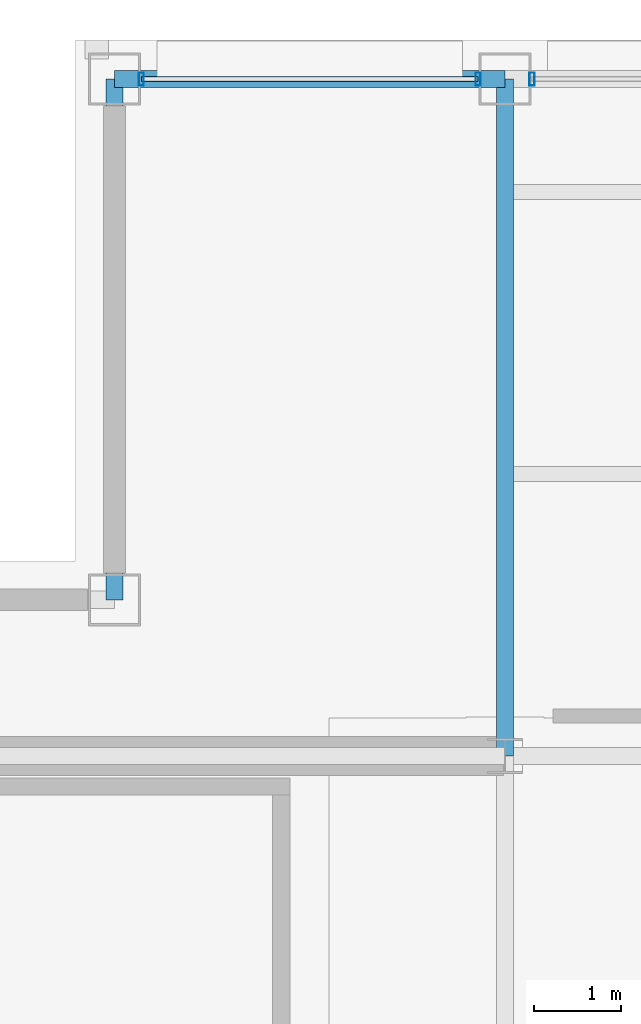
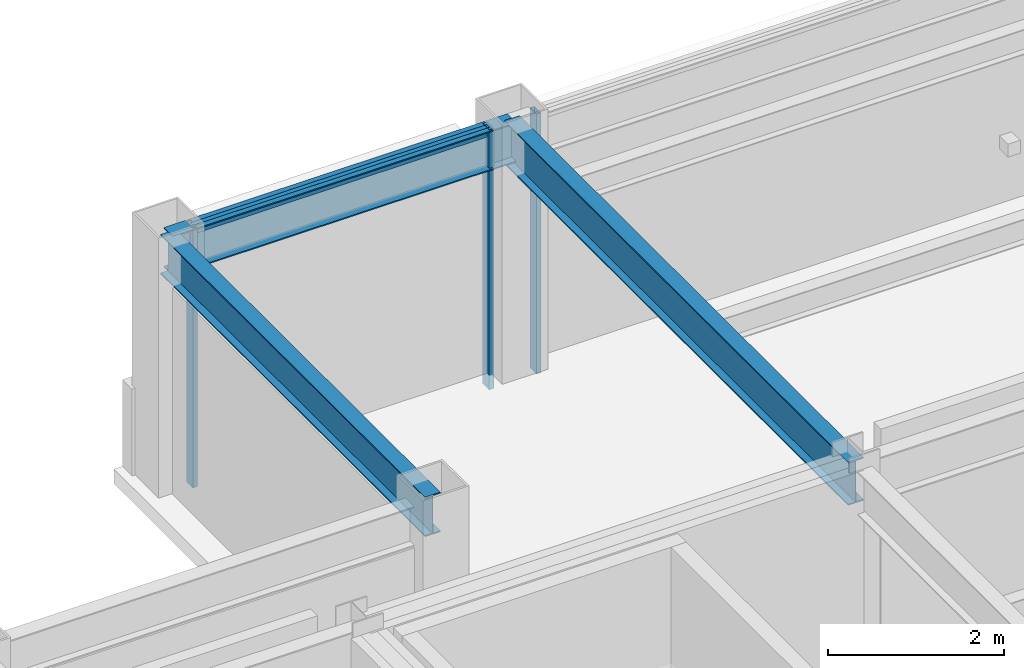
# One storey, part 16 of 24: 4 members, 3 beams, 2 elements without a shape of their own.
"""IFC4 building model written with IfcOpenShell, lengths in metres."""

from ifc_helpers import new_model, si_unit, direction, frame, origin, origin_2d, place, context, subcontext, project, spatial, hollow_rectangle, i_section, extrude, material, layer, layer_set, material_profile, profile_set, type_object, element, aggregate, save


model = new_model("IFC4")

# Units and contexts
model_context = context("Model", 3, precision=1e-05, world=origin(), true_north=direction((0.0, 1.0)))
body_context = subcontext(model_context, "Body", "Model", "MODEL_VIEW")
ifc_project = project(units=[si_unit("LENGTHUNIT", "METRE"), si_unit("AREAUNIT", "SQUARE_METRE"), si_unit("VOLUMEUNIT", "CUBIC_METRE"), si_unit("PLANEANGLEUNIT", "RADIAN"), si_unit("MASSUNIT", "GRAM", prefix="KILO")], contexts=[model_context])

# Site, building, storey
site_placement = place(None, origin())
site = spatial("IfcSite", under=ifc_project, at=site_placement, CompositionType="ELEMENT")
building_placement = place(site_placement, origin())
building = spatial("IfcBuilding", under=site, at=building_placement, Name="Brelmoor Portico Tower", CompositionType="ELEMENT")
storey_placement = place(building_placement, frame((0.0, 0.0, 254.39990234375)))
storey = spatial("IfcBuildingStorey", under=building, at=storey_placement, Name="L67", CompositionType="ELEMENT", Elevation=254.39990234375)

# Beams
ifc_material_1 = material(Name="Steel Q355B", Category="steel")
ifc_material_profile_1 = material_profile(ifc_material_1, i_section(OverallWidth=0.199951171875, OverallDepth=0.60009765625, WebThickness=0.010986328125, FlangeThickness=0.01708984375, at=origin_2d()), Name="HN 600x200x11x17")
ifc_profile_set_1 = profile_set([ifc_material_profile_1], Name="Steel Q355B")
beam_type_1 = type_object("IfcBeamType", Name="BM-PG-600", PredefinedType="BEAM", material=ifc_profile_set_1)
beam_1_placement = place(storey_placement, frame((-8.050048828125, 9.75, 3.10009765625), z_axis=(0.0, 1.0, 0.0), x_axis=(-1.0, 0.0, 0.0)))
element("IfcBeam", 1, at=beam_1_placement, inside=storey, type_object=beam_type_1, Name="L67 Primary Floor Girder PG-05", PredefinedType="BEAM", context=body_context, shape_type="SweptSolid", body=[
    extrude(i_section(OverallWidth=0.199951171875, OverallDepth=0.60009765625, WebThickness=0.010986328125, FlangeThickness=0.01708984375, at=origin_2d()), origin(), (0.0, 0.0, 1.0), 7.800048828125),
])
ifc_material_profile_2 = material_profile(ifc_material_1, i_section(OverallWidth=0.199951171875, OverallDepth=0.550048828125, WebThickness=0.010009765625, FlangeThickness=0.01611328125, at=origin_2d()), Name="HN 550x200x10x16")
ifc_profile_set_2 = profile_set([ifc_material_profile_2], Name="Steel Q355B")
beam_type_2 = type_object("IfcBeamType", Name="BM-SP-550", PredefinedType="SPANDREL", material=ifc_profile_set_2)
beam_2_placement = place(storey_placement, frame((-12.550048828125, 17.550048828125, 3.125), z_axis=(1.0, 0.0, 0.0), x_axis=(0.0, 1.0, 0.0)))
element("IfcBeam", 2, at=beam_2_placement, inside=storey, type_object=beam_type_2, Name="L67 Perimeter Spandrel Beam SP-08", PredefinedType="SPANDREL", context=body_context, shape_type="SweptSolid", body=[
    extrude(i_section(OverallWidth=0.199951171875, OverallDepth=0.550048828125, WebThickness=0.010009765625, FlangeThickness=0.01611328125, at=origin_2d()), origin(), (0.0, 0.0, 1.0), 4.5),
])
beam_3_placement = place(storey_placement, frame((-12.550048828125, 11.550048828125, 3.125), z_axis=(0.0, 1.0, 0.0), x_axis=(-1.0, 0.0, 0.0)))
element("IfcBeam", 3, at=beam_3_placement, inside=storey, type_object=beam_type_2, Name="L67 Perimeter Spandrel Beam SP-15", PredefinedType="SPANDREL", context=body_context, shape_type="SweptSolid", body=[
    extrude(i_section(OverallWidth=0.199951171875, OverallDepth=0.550048828125, WebThickness=0.010009765625, FlangeThickness=0.01611328125, at=origin_2d()), origin(), (0.0, 0.0, 1.0), 6.0),
])

# Curtain wall, members
ifc_material_2 = material(Name="Anodised Aluminium Alloy 6063-T6", Category="aluminium")
ifc_layer = layer(ifc_material_2, 0.179931640625)
ifc_layer_set = layer_set([ifc_layer], Name="Anodised Aluminium Alloy 6063-T6")
curtain_wall_type = type_object("IfcCurtainWallType", Name="CW-TOWER-Z4-XB", PredefinedType="NOTDEFINED", material=ifc_layer_set)
curtain_wall_1_placement = place(storey_placement, origin())
curtain_wall_1 = element("IfcCurtainWall", 4, at=curtain_wall_1_placement, inside=storey, type_object=curtain_wall_type, Name="L67 Curtain Wall CW-L67-02-1", PredefinedType="NOTDEFINED")
ifc_material_profile_3 = material_profile(ifc_material_2, hollow_rectangle(XDim=0.06005859375, YDim=0.14990234375, WallThickness=0.00390625, at=origin_2d()), Name="ALU MULLION 60x150")
ifc_profile_set_3 = profile_set([ifc_material_profile_3], Name="Anodised Aluminium Alloy 6063-T6")
member_type_1 = type_object("IfcMemberType", Name="MB-CW-MULL-150", PredefinedType="MULLION", material=ifc_profile_set_3)
member_1_placement = place(storey_placement, frame((-12.239990234375, 17.550048828125, -0.199951171875), z_axis=(0.0, 0.0, 1.0), x_axis=(1.0, 0.0, 0.0)))
member_1 = element("IfcMember", 5, at=member_1_placement, type_object=member_type_1, Name="CW-L67-02-1 Mullion 00", PredefinedType="MULLION", context=body_context, shape_type="SweptSolid", body=[
    extrude(hollow_rectangle(XDim=0.06005859375, YDim=0.14990234375, WallThickness=0.00390625, at=origin_2d()), origin(), (0.0, 0.0, 1.0), 3.60009765625),
])
member_2_placement = place(storey_placement, frame((-8.360107421875, 17.550048828125, -0.199951171875), z_axis=(0.0, 0.0, 1.0), x_axis=(1.0, 0.0, 0.0)))
member_2 = element("IfcMember", 6, at=member_2_placement, type_object=member_type_1, Name="CW-L67-02-1 Mullion 01", PredefinedType="MULLION", context=body_context, shape_type="SweptSolid", body=[
    extrude(hollow_rectangle(XDim=0.06005859375, YDim=0.14990234375, WallThickness=0.00390625, at=origin_2d()), origin(), (0.0, 0.0, 1.0), 3.60009765625),
])

# Curtain wall, member
curtain_wall_2_placement = place(storey_placement, origin())
curtain_wall_2 = element("IfcCurtainWall", 7, at=curtain_wall_2_placement, inside=storey, type_object=curtain_wall_type, Name="L67 Curtain Wall CW-L67-02-2", PredefinedType="NOTDEFINED")
member_3_placement = place(storey_placement, frame((-7.739990234375, 17.550048828125, -0.199951171875), z_axis=(0.0, 0.0, 1.0), x_axis=(1.0, 0.0, 0.0)))
member_3 = element("IfcMember", 8, at=member_3_placement, type_object=member_type_1, Name="CW-L67-02-2 Mullion 00", PredefinedType="MULLION", context=body_context, shape_type="SweptSolid", body=[
    extrude(hollow_rectangle(XDim=0.06005859375, YDim=0.14990234375, WallThickness=0.00390625, at=origin_2d()), origin(), (0.0, 0.0, 1.0), 3.60009765625),
])
aggregate(curtain_wall_2, [member_3])

# Member
ifc_material_profile_4 = material_profile(ifc_material_2, hollow_rectangle(XDim=0.06005859375, YDim=0.125, WallThickness=0.00341796875, at=origin_2d()), Name="ALU TRANSOM 60x125")
ifc_profile_set_4 = profile_set([ifc_material_profile_4], Name="Anodised Aluminium Alloy 6063-T6")
member_type_2 = type_object("IfcMemberType", Name="MB-CW-TRAN-125", PredefinedType="USERDEFINED", material=ifc_profile_set_4)
member_4_placement = place(storey_placement, frame((-12.239990234375, 17.550048828125, 3.337646484375), z_axis=(1.0, 0.0, 0.0), x_axis=(0.0, 1.0, 0.0)))
member_4 = element("IfcMember", 9, at=member_4_placement, type_object=member_type_2, Name="CW-L67-02-1 Transom 1-00", ObjectType="TRANSOM", PredefinedType="USERDEFINED", context=body_context, shape_type="SweptSolid", body=[
    extrude(hollow_rectangle(XDim=0.06005859375, YDim=0.125, WallThickness=0.00341796875, at=origin_2d()), origin(), (0.0, 0.0, 1.0), 3.8798828125),
])

aggregate(curtain_wall_1, [member_1, member_2, member_4])

save(model, "model.ifc")
